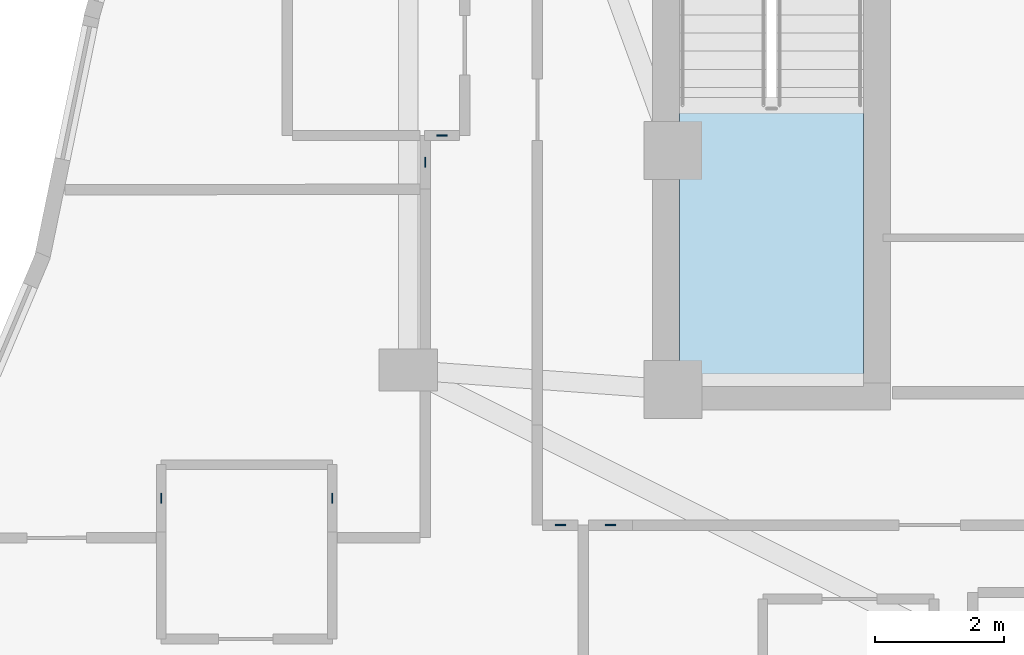
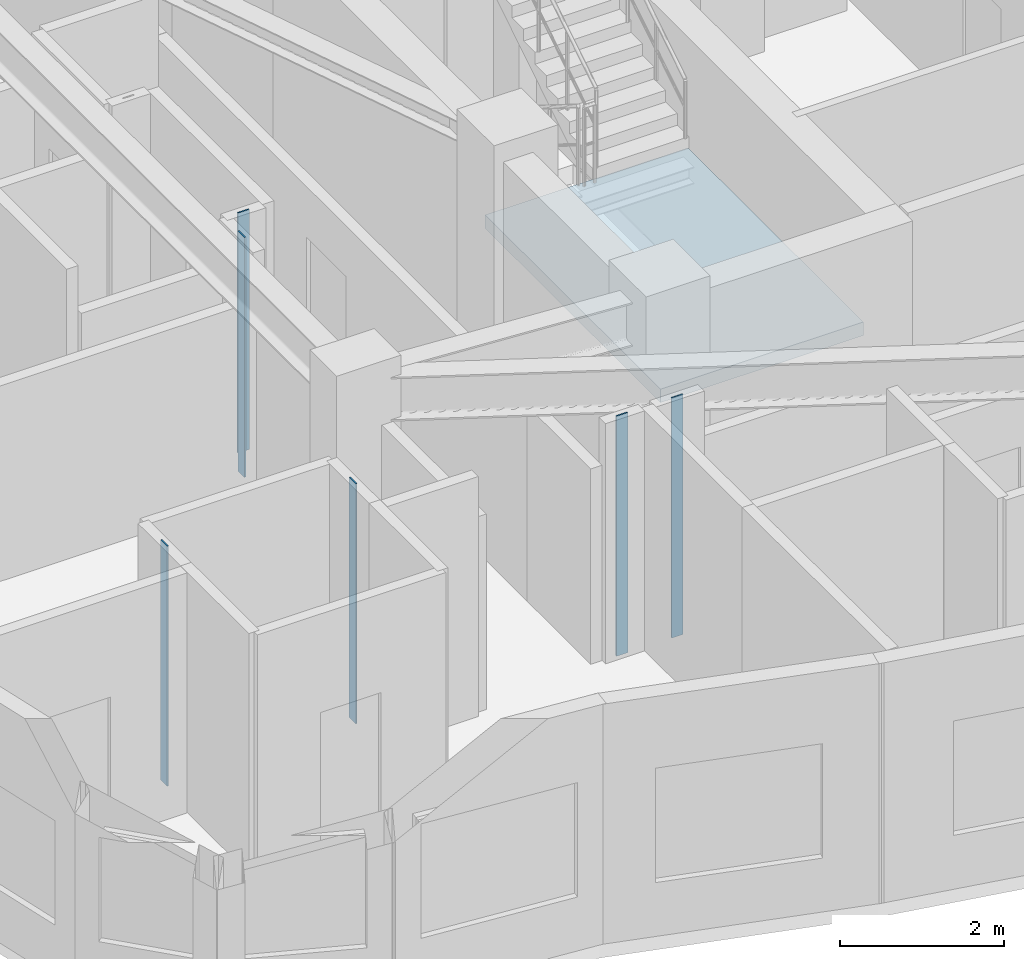
# One storey, part 2 of 13: 6 plates, 1 slab, 1 element without a shape of its own.
"""IFC4 building model written with IfcOpenShell, lengths in metres."""

from ifc_helpers import new_model, si_unit, direction, frame, origin, origin_2d, place, context, subcontext, project, spatial, polyline, rectangle, outline, extrude, material, layer, layer_set, type_object, element, aggregate, save


model = new_model("IFC4")

# Units and contexts
model_context = context("Model", 3, precision=1e-05, world=origin(), true_north=direction((0.0, 1.0)))
body_context = subcontext(model_context, "Body", "Model", "MODEL_VIEW")
ifc_project = project(units=[si_unit("LENGTHUNIT", "METRE"), si_unit("AREAUNIT", "SQUARE_METRE"), si_unit("VOLUMEUNIT", "CUBIC_METRE"), si_unit("PLANEANGLEUNIT", "RADIAN"), si_unit("MASSUNIT", "GRAM", prefix="KILO")], contexts=[model_context])

# Site, building, storey
site_placement = place(None, origin())
site = spatial("IfcSite", under=ifc_project, at=site_placement, CompositionType="ELEMENT")
building_placement = place(site_placement, origin())
building = spatial("IfcBuilding", under=site, at=building_placement, Name="Miruveldt Soraemaru", CompositionType="ELEMENT")
storey_placement = place(building_placement, frame((0.0, 0.0, 255.85009765625)))
storey = spatial("IfcBuildingStorey", under=building, at=storey_placement, Name="L70", CompositionType="ELEMENT", Elevation=255.85009765625)

# Plates
ifc_material_1 = material(Name="Anodised aluminium EN AW-6063 T6", Category="aluminium")
ifc_layer_1 = layer(ifc_material_1, 0.02001953125, Name="Anodised aluminium EN AW-6063 T6", Category="aluminium")
ifc_layer_set_1 = layer_set([ifc_layer_1], Name="Anodised aluminium EN AW-6063 T6")
plate_type = type_object("IfcPlateType", Name="PLT-PART-TRIM", PredefinedType="SHEET", material=ifc_layer_set_1)
for number, where, z_axis, x_axis, name in (
    (1, (30.222900390625, 33.8154296875, 0.0), (0.0, 0.0, 1.0), (0.0, 1.0, 0.0), "L70 Partition Step Corner Trim Plate 040"),
    (2, (27.572998046875, 33.8154296875, 0.0), (0.0, 0.0, 1.0), (0.0, -1.0, 0.0), "L70 Partition Step Corner Trim Plate 042"),
    (3, (31.662109375, 39.01904296875, 0.0), (0.0, 0.0, 1.0), (0.0, -1.0, 0.0), "L70 Partition Step Corner Trim Plate 037"),
    (4, (34.531005859375, 33.39990234375, 0.0), (0.0, 0.0, 1.0), (1.0, 0.0, 0.0), "L70 Partition Step Corner Trim Plate 008"),
    (5, (33.756103515625, 33.39990234375, 0.0), (0.0, 0.0, 1.0), (1.0, 0.0, 0.0), "L70 Partition Step Corner Trim Plate 007"),
    (6, (31.922607421875, 39.43505859375, 0.0), (0.0, 0.0, 1.0), (1.0, 0.0, 0.0), "L70 Partition Step Corner Trim Plate 032"),
):
    element("IfcPlate", number, at=place(storey_placement, frame(where, z_axis=z_axis, x_axis=x_axis)), inside=storey, type_object=plate_type, Name=name, PredefinedType="SHEET", context=body_context, shape_type="SweptSolid", body=[
        extrude(rectangle(XDim=0.159912109375, YDim=0.02001953125, at=origin_2d()), origin(), (0.0, 0.0, 1.0), 3.56494140625),
    ])

# Stair, slab
ifc_material_2 = material(Name="Concrete C40/50 (40 MPa)", Category="concrete")
stair_type = type_object("IfcStairType", Name="STAIR-DL-385", PredefinedType="HALF_TURN_STAIR", material=ifc_material_2)
stair_placement = place(storey_placement, origin())
stair = element("IfcStair", 7, at=stair_placement, inside=storey, type_object=stair_type, Name="L70 Protected Exit Stair ST-1", PredefinedType="HALF_TURN_STAIR")
ifc_layer_2 = layer(ifc_material_2, 0.199951171875, Name="Concrete C40/50 (40 MPa)", Category="concrete")
ifc_layer_set_2 = layer_set([ifc_layer_2], Name="Concrete C40/50 (40 MPa)")
slab_type = type_object("IfcSlabType", Name="SLAB-LAND-200", PredefinedType="LANDING", material=ifc_layer_set_2)
slab_placement = place(storey_placement, frame((0.0, 0.0, 1.724853515625)))
slab = element("IfcSlab", 8, at=slab_placement, type_object=slab_type, Name="ST-1 landing 1", PredefinedType="LANDING", context=body_context, shape_type="SweptSolid", body=[
    extrude(outline(polyline([(35.60009765625, 39.91796875), (35.60009765625, 35.64990234375), (38.449951171875, 35.64990234375), (38.449951171875, 39.91796875), (35.60009765625, 39.91796875)])), origin(), (0.0, 0.0, 1.0), 0.199951171875),
])
aggregate(stair, [slab])

save(model, "model.ifc")
